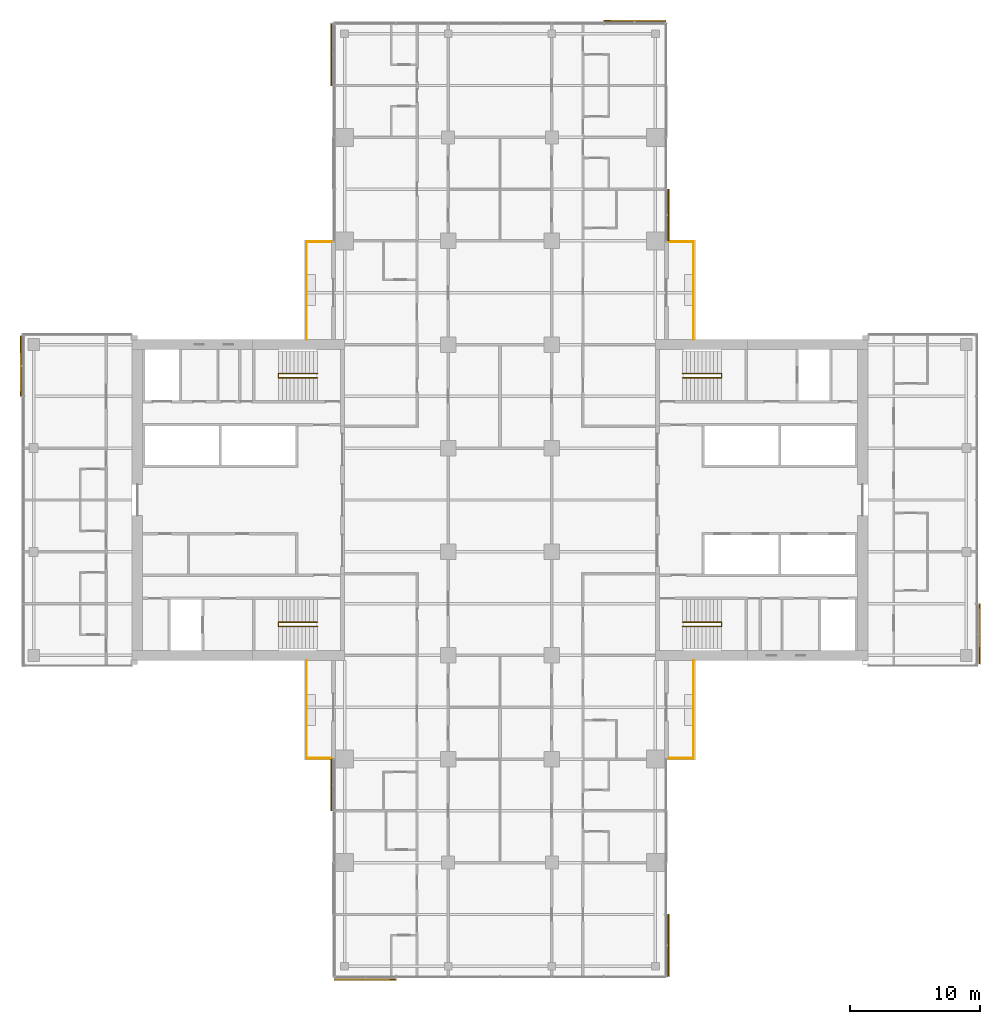
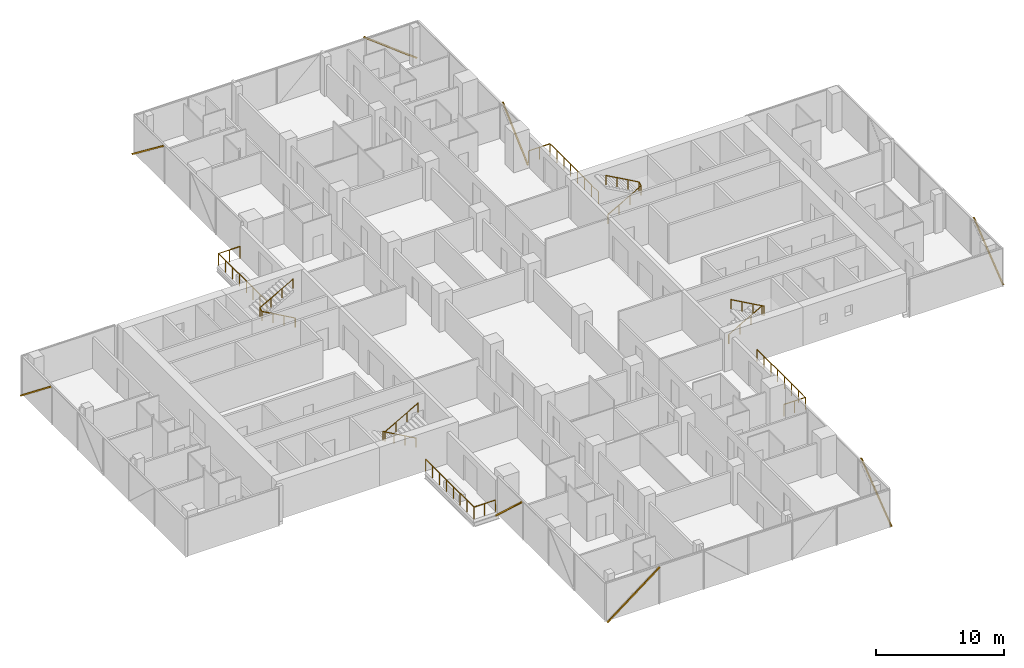
# One storey, part 27 of 27: 8 railings, 8 shading devices, 8 elements without a shape of their own.
"""IFC4 building model written with IfcOpenShell, lengths in metres."""

from ifc_helpers import new_model, si_unit, direction, frame, origin, origin_2d, place, context, subcontext, project, spatial, rectangle, circle, extrude, material, material_profile, profile_set, type_object, element, aggregate, save


model = new_model("IFC4")

# Units and contexts
model_context = context("Model", 3, precision=1e-05, world=origin(), true_north=direction((0.0, 1.0)))
body_context = subcontext(model_context, "Body", "Model", "MODEL_VIEW")
ifc_project = project(units=[si_unit("LENGTHUNIT", "METRE"), si_unit("AREAUNIT", "SQUARE_METRE"), si_unit("VOLUMEUNIT", "CUBIC_METRE"), si_unit("PLANEANGLEUNIT", "RADIAN"), si_unit("MASSUNIT", "GRAM", prefix="KILO")], contexts=[model_context])

# Site, building, storey
site_placement = place(None, origin())
site = spatial("IfcSite", under=ifc_project, at=site_placement, CompositionType="ELEMENT")
building_placement = place(site_placement, origin())
building = spatial("IfcBuilding", under=site, at=building_placement, Name="Crosswind Convention Tower", CompositionType="ELEMENT")
storey_placement = place(building_placement, frame((0.0, 0.0, 79.39990234375)))
storey = spatial("IfcBuildingStorey", under=building, at=storey_placement, Name="L14", CompositionType="ELEMENT", Elevation=79.39990234375)

# Railings
ifc_material_1 = material(Name="Steel and laminated glass balustrade", Category="steel")
railing_type_1 = type_object("IfcRailingType", Name="BALCONY BALUSTRADE 1150", PredefinedType="BALUSTRADE", material=ifc_material_1)
railing_1_placement = place(storey_placement, frame((139.93994140625, 112.39990234375, 0.0)))
element("IfcRailing", 1, at=railing_1_placement, inside=storey, type_object=railing_type_1, Name="R11 balcony balustrade L14 N-E.1-1", PredefinedType="BALUSTRADE", context=body_context, shape_type="SweptSolid", body=[
    extrude(circle(Radius=0.02392578125, at=origin_2d()), frame((0.0, 0.0, 1.1259765625), z_axis=(0.0, 1.0, 0.0), x_axis=(-1.0, 0.0, 0.0)), (0.0, 0.0, 1.0), 7.5400390625),
    extrude(circle(Radius=0.02392578125, at=origin_2d()), frame((0.0, 7.5400390625, 1.1259765625), z_axis=(-1.0, 0.0, 0.0), x_axis=(0.0, -1.0, 0.0)), (0.0, 0.0, 1.0), 1.9189453125),
    extrude(circle(Radius=0.02099609375, at=origin_2d()), origin(), (0.0, 0.0, 1.0), 1.101806640625),
    extrude(circle(Radius=0.02099609375, at=origin_2d()), frame((0.0, 1.0771484375, 0.0)), (0.0, 0.0, 1.0), 1.101806640625),
    extrude(circle(Radius=0.02099609375, at=origin_2d()), frame((0.0, 2.154296875, 0.0)), (0.0, 0.0, 1.0), 1.101806640625),
    extrude(circle(Radius=0.02099609375, at=origin_2d()), frame((0.0, 3.2314453125, 0.0)), (0.0, 0.0, 1.0), 1.101806640625),
    extrude(circle(Radius=0.02099609375, at=origin_2d()), frame((0.0, 4.30859375, 0.0)), (0.0, 0.0, 1.0), 1.101806640625),
    extrude(circle(Radius=0.02099609375, at=origin_2d()), frame((0.0, 5.3857421875, 0.0)), (0.0, 0.0, 1.0), 1.101806640625),
    extrude(circle(Radius=0.02099609375, at=origin_2d()), frame((0.0, 6.462890625, 0.0)), (0.0, 0.0, 1.0), 1.101806640625),
    extrude(circle(Radius=0.02099609375, at=origin_2d()), frame((0.0, 7.5400390625, 0.0)), (0.0, 0.0, 1.0), 1.101806640625),
    extrude(circle(Radius=0.02099609375, at=origin_2d()), frame((-0.95947265625, 7.5400390625, 0.0)), (0.0, 0.0, 1.0), 1.101806640625),
    extrude(circle(Radius=0.02099609375, at=origin_2d()), frame((-1.9189453125, 7.5400390625, 0.0)), (0.0, 0.0, 1.0), 1.101806640625),
])
railing_2_placement = place(storey_placement, frame((110.06005859375, 112.39990234375, 0.0)))
element("IfcRailing", 2, at=railing_2_placement, inside=storey, type_object=railing_type_1, Name="R11 balcony balustrade L14 N-W.1-3", PredefinedType="BALUSTRADE", context=body_context, shape_type="SweptSolid", body=[
    extrude(circle(Radius=0.02392578125, at=origin_2d()), frame((0.0, 0.0, 1.1259765625), z_axis=(0.0, 1.0, 0.0), x_axis=(-1.0, 0.0, 0.0)), (0.0, 0.0, 1.0), 7.5400390625),
    extrude(circle(Radius=0.02392578125, at=origin_2d()), frame((0.0, 7.5400390625, 1.1259765625), z_axis=(1.0, 0.0, 0.0), x_axis=(0.0, 1.0, 0.0)), (0.0, 0.0, 1.0), 1.9189453125),
    extrude(circle(Radius=0.02099609375, at=origin_2d()), origin(), (0.0, 0.0, 1.0), 1.101806640625),
    extrude(circle(Radius=0.02099609375, at=origin_2d()), frame((0.0, 1.0771484375, 0.0)), (0.0, 0.0, 1.0), 1.101806640625),
    extrude(circle(Radius=0.02099609375, at=origin_2d()), frame((0.0, 2.154296875, 0.0)), (0.0, 0.0, 1.0), 1.101806640625),
    extrude(circle(Radius=0.02099609375, at=origin_2d()), frame((0.0, 3.2314453125, 0.0)), (0.0, 0.0, 1.0), 1.101806640625),
    extrude(circle(Radius=0.02099609375, at=origin_2d()), frame((0.0, 4.30859375, 0.0)), (0.0, 0.0, 1.0), 1.101806640625),
    extrude(circle(Radius=0.02099609375, at=origin_2d()), frame((0.0, 5.3857421875, 0.0)), (0.0, 0.0, 1.0), 1.101806640625),
    extrude(circle(Radius=0.02099609375, at=origin_2d()), frame((0.0, 6.462890625, 0.0)), (0.0, 0.0, 1.0), 1.101806640625),
    extrude(circle(Radius=0.02099609375, at=origin_2d()), frame((0.0, 7.5400390625, 0.0)), (0.0, 0.0, 1.0), 1.101806640625),
    extrude(circle(Radius=0.02099609375, at=origin_2d()), frame((0.95947265625, 7.5400390625, 0.0)), (0.0, 0.0, 1.0), 1.101806640625),
    extrude(circle(Radius=0.02099609375, at=origin_2d()), frame((1.9189453125, 7.5400390625, 0.0)), (0.0, 0.0, 1.0), 1.101806640625),
])
railing_3_placement = place(storey_placement, frame((110.06005859375, 87.60009765625, 0.0)))
element("IfcRailing", 3, at=railing_3_placement, inside=storey, type_object=railing_type_1, Name="R11 balcony balustrade L14 S-W.1-1", PredefinedType="BALUSTRADE", context=body_context, shape_type="SweptSolid", body=[
    extrude(circle(Radius=0.02392578125, at=origin_2d()), frame((0.0, 0.0, 1.1259765625), z_axis=(0.0, -1.0, 0.0), x_axis=(1.0, 0.0, 0.0)), (0.0, 0.0, 1.0), 7.5400390625),
    extrude(circle(Radius=0.02392578125, at=origin_2d()), frame((0.0, -7.5400390625, 1.1259765625), z_axis=(1.0, 0.0, 0.0), x_axis=(0.0, 1.0, 0.0)), (0.0, 0.0, 1.0), 1.9189453125),
    extrude(circle(Radius=0.02099609375, at=origin_2d()), origin(), (0.0, 0.0, 1.0), 1.101806640625),
    extrude(circle(Radius=0.02099609375, at=origin_2d()), frame((0.0, -1.0771484375, 0.0)), (0.0, 0.0, 1.0), 1.101806640625),
    extrude(circle(Radius=0.02099609375, at=origin_2d()), frame((0.0, -2.154296875, 0.0)), (0.0, 0.0, 1.0), 1.101806640625),
    extrude(circle(Radius=0.02099609375, at=origin_2d()), frame((0.0, -3.2314453125, 0.0)), (0.0, 0.0, 1.0), 1.101806640625),
    extrude(circle(Radius=0.02099609375, at=origin_2d()), frame((0.0, -4.30859375, 0.0)), (0.0, 0.0, 1.0), 1.101806640625),
    extrude(circle(Radius=0.02099609375, at=origin_2d()), frame((0.0, -5.3857421875, 0.0)), (0.0, 0.0, 1.0), 1.101806640625),
    extrude(circle(Radius=0.02099609375, at=origin_2d()), frame((0.0, -6.462890625, 0.0)), (0.0, 0.0, 1.0), 1.101806640625),
    extrude(circle(Radius=0.02099609375, at=origin_2d()), frame((0.0, -7.5400390625, 0.0)), (0.0, 0.0, 1.0), 1.101806640625),
    extrude(circle(Radius=0.02099609375, at=origin_2d()), frame((0.95947265625, -7.5400390625, 0.0)), (0.0, 0.0, 1.0), 1.101806640625),
    extrude(circle(Radius=0.02099609375, at=origin_2d()), frame((1.9189453125, -7.5400390625, 0.0)), (0.0, 0.0, 1.0), 1.101806640625),
])
railing_4_placement = place(storey_placement, frame((139.93994140625, 87.60009765625, 0.0)))
element("IfcRailing", 4, at=railing_4_placement, inside=storey, type_object=railing_type_1, Name="R11 balcony balustrade L14 S-E.1-3", PredefinedType="BALUSTRADE", context=body_context, shape_type="SweptSolid", body=[
    extrude(circle(Radius=0.02392578125, at=origin_2d()), frame((0.0, 0.0, 1.1259765625), z_axis=(0.0, -1.0, 0.0), x_axis=(1.0, 0.0, 0.0)), (0.0, 0.0, 1.0), 7.5400390625),
    extrude(circle(Radius=0.02392578125, at=origin_2d()), frame((0.0, -7.5400390625, 1.1259765625), z_axis=(-1.0, 0.0, 0.0), x_axis=(0.0, -1.0, 0.0)), (0.0, 0.0, 1.0), 1.9189453125),
    extrude(circle(Radius=0.02099609375, at=origin_2d()), origin(), (0.0, 0.0, 1.0), 1.101806640625),
    extrude(circle(Radius=0.02099609375, at=origin_2d()), frame((0.0, -1.0771484375, 0.0)), (0.0, 0.0, 1.0), 1.101806640625),
    extrude(circle(Radius=0.02099609375, at=origin_2d()), frame((0.0, -2.154296875, 0.0)), (0.0, 0.0, 1.0), 1.101806640625),
    extrude(circle(Radius=0.02099609375, at=origin_2d()), frame((0.0, -3.2314453125, 0.0)), (0.0, 0.0, 1.0), 1.101806640625),
    extrude(circle(Radius=0.02099609375, at=origin_2d()), frame((0.0, -4.30859375, 0.0)), (0.0, 0.0, 1.0), 1.101806640625),
    extrude(circle(Radius=0.02099609375, at=origin_2d()), frame((0.0, -5.3857421875, 0.0)), (0.0, 0.0, 1.0), 1.101806640625),
    extrude(circle(Radius=0.02099609375, at=origin_2d()), frame((0.0, -6.462890625, 0.0)), (0.0, 0.0, 1.0), 1.101806640625),
    extrude(circle(Radius=0.02099609375, at=origin_2d()), frame((0.0, -7.5400390625, 0.0)), (0.0, 0.0, 1.0), 1.101806640625),
    extrude(circle(Radius=0.02099609375, at=origin_2d()), frame((-0.95947265625, -7.5400390625, 0.0)), (0.0, 0.0, 1.0), 1.101806640625),
    extrude(circle(Radius=0.02099609375, at=origin_2d()), frame((-1.9189453125, -7.5400390625, 0.0)), (0.0, 0.0, 1.0), 1.101806640625),
])
ifc_material_2 = material(Name="Stainless steel", Category="steel")
railing_type_2 = type_object("IfcRailingType", Name="Stair handrail 900", PredefinedType="HANDRAIL", material=ifc_material_2)
railing_5_placement = place(storey_placement, frame((139.10009765625, 109.43994140625, 0.168212890625)))
element("IfcRailing", 5, at=railing_5_placement, inside=storey, type_object=railing_type_2, Name="Stair ST1 handrail L14", PredefinedType="HANDRAIL", context=body_context, shape_type="SweptSolid", body=[
    extrude(circle(Radius=0.02392578125, at=origin_2d()), frame((0.0, 0.0, 0.8759765625), z_axis=(0.872272294576, 0.0, 0.489020494575), x_axis=(0.0, 1.0, 0.0)), (0.0, 0.0, 1.0), 3.439208984375),
    extrude(circle(Radius=0.02392578125, at=origin_2d()), frame((3.0, 0.0, 2.5576171875), z_axis=(0.0, 0.885196349292, 0.465217608438), x_axis=(-1.0, 0.0, 0.0)), (0.0, 0.0, 1.0), 0.361572265625),
    extrude(circle(Radius=0.02392578125, at=origin_2d()), frame((3.0, 0.320068359375, 2.72607421875), z_axis=(-0.872272294576, 0.0, 0.489020494575), x_axis=(0.0, -1.0, 0.0)), (0.0, 0.0, 1.0), 3.439208984375),
    extrude(circle(Radius=0.02099609375, at=origin_2d()), origin(), (0.0, 0.0, 1.0), 0.851806640625),
    extrude(circle(Radius=0.02099609375, at=origin_2d()), frame((1.0, 0.0, 0.560546875)), (0.0, 0.0, 1.0), 0.851806640625),
    extrude(circle(Radius=0.02099609375, at=origin_2d()), frame((2.0, 0.0, 1.121337890625)), (0.0, 0.0, 1.0), 0.851806640625),
    extrude(circle(Radius=0.02099609375, at=origin_2d()), frame((3.0, 0.0, 1.681884765625)), (0.0, 0.0, 1.0), 0.851806640625),
    extrude(circle(Radius=0.02099609375, at=origin_2d()), frame((3.0, 0.320068359375, 1.85009765625)), (0.0, 0.0, 1.0), 0.851806640625),
    extrude(circle(Radius=0.02099609375, at=origin_2d()), frame((2.0, 0.320068359375, 2.41064453125)), (0.0, 0.0, 1.0), 0.851806640625),
    extrude(circle(Radius=0.02099609375, at=origin_2d()), frame((1.0, 0.320068359375, 2.971435546875)), (0.0, 0.0, 1.0), 0.851806640625),
    extrude(circle(Radius=0.02099609375, at=origin_2d()), frame((0.0, 0.320068359375, 3.531982421875)), (0.0, 0.0, 1.0), 0.851806640625),
])
railing_6_placement = place(storey_placement, frame((139.10009765625, 90.56005859375, 0.168212890625)))
element("IfcRailing", 6, at=railing_6_placement, inside=storey, type_object=railing_type_2, Name="Stair ST2 handrail L14", PredefinedType="HANDRAIL", context=body_context, shape_type="SweptSolid", body=[
    extrude(circle(Radius=0.02392578125, at=origin_2d()), frame((0.0, 0.0, 0.8759765625), z_axis=(0.872272294576, 0.0, 0.489020494575), x_axis=(0.0, 1.0, 0.0)), (0.0, 0.0, 1.0), 3.439208984375),
    extrude(circle(Radius=0.02392578125, at=origin_2d()), frame((3.0, 0.0, 2.5576171875), z_axis=(0.0, -0.885196349292, 0.465217608438), x_axis=(1.0, 0.0, 0.0)), (0.0, 0.0, 1.0), 0.361572265625),
    extrude(circle(Radius=0.02392578125, at=origin_2d()), frame((3.0, -0.320068359375, 2.72607421875), z_axis=(-0.872272294576, 0.0, 0.489020494575), x_axis=(0.0, -1.0, 0.0)), (0.0, 0.0, 1.0), 3.439208984375),
    extrude(circle(Radius=0.02099609375, at=origin_2d()), origin(), (0.0, 0.0, 1.0), 0.851806640625),
    extrude(circle(Radius=0.02099609375, at=origin_2d()), frame((1.0, 0.0, 0.560546875)), (0.0, 0.0, 1.0), 0.851806640625),
    extrude(circle(Radius=0.02099609375, at=origin_2d()), frame((2.0, 0.0, 1.121337890625)), (0.0, 0.0, 1.0), 0.851806640625),
    extrude(circle(Radius=0.02099609375, at=origin_2d()), frame((3.0, 0.0, 1.681884765625)), (0.0, 0.0, 1.0), 0.851806640625),
    extrude(circle(Radius=0.02099609375, at=origin_2d()), frame((3.0, -0.320068359375, 1.85009765625)), (0.0, 0.0, 1.0), 0.851806640625),
    extrude(circle(Radius=0.02099609375, at=origin_2d()), frame((2.0, -0.320068359375, 2.41064453125)), (0.0, 0.0, 1.0), 0.851806640625),
    extrude(circle(Radius=0.02099609375, at=origin_2d()), frame((1.0, -0.320068359375, 2.971435546875)), (0.0, 0.0, 1.0), 0.851806640625),
    extrude(circle(Radius=0.02099609375, at=origin_2d()), frame((0.0, -0.320068359375, 3.531982421875)), (0.0, 0.0, 1.0), 0.851806640625),
])
railing_7_placement = place(storey_placement, frame((110.89990234375, 90.56005859375, 0.168212890625)))
element("IfcRailing", 7, at=railing_7_placement, inside=storey, type_object=railing_type_2, Name="Stair ST3 handrail L14", PredefinedType="HANDRAIL", context=body_context, shape_type="SweptSolid", body=[
    extrude(circle(Radius=0.02392578125, at=origin_2d()), frame((0.0, 0.0, 0.8759765625), z_axis=(-0.872272294576, 0.0, 0.489020494575), x_axis=(0.0, -1.0, 0.0)), (0.0, 0.0, 1.0), 3.439208984375),
    extrude(circle(Radius=0.02392578125, at=origin_2d()), frame((-3.0, 0.0, 2.5576171875), z_axis=(0.0, -0.885196349292, 0.465217608438), x_axis=(1.0, 0.0, 0.0)), (0.0, 0.0, 1.0), 0.361572265625),
    extrude(circle(Radius=0.02392578125, at=origin_2d()), frame((-3.0, -0.320068359375, 2.72607421875), z_axis=(0.872272294576, 0.0, 0.489020494575), x_axis=(0.0, 1.0, 0.0)), (0.0, 0.0, 1.0), 3.439208984375),
    extrude(circle(Radius=0.02099609375, at=origin_2d()), origin(), (0.0, 0.0, 1.0), 0.851806640625),
    extrude(circle(Radius=0.02099609375, at=origin_2d()), frame((-1.0, 0.0, 0.560546875)), (0.0, 0.0, 1.0), 0.851806640625),
    extrude(circle(Radius=0.02099609375, at=origin_2d()), frame((-2.0, 0.0, 1.121337890625)), (0.0, 0.0, 1.0), 0.851806640625),
    extrude(circle(Radius=0.02099609375, at=origin_2d()), frame((-3.0, 0.0, 1.681884765625)), (0.0, 0.0, 1.0), 0.851806640625),
    extrude(circle(Radius=0.02099609375, at=origin_2d()), frame((-3.0, -0.320068359375, 1.85009765625)), (0.0, 0.0, 1.0), 0.851806640625),
    extrude(circle(Radius=0.02099609375, at=origin_2d()), frame((-2.0, -0.320068359375, 2.41064453125)), (0.0, 0.0, 1.0), 0.851806640625),
    extrude(circle(Radius=0.02099609375, at=origin_2d()), frame((-1.0, -0.320068359375, 2.971435546875)), (0.0, 0.0, 1.0), 0.851806640625),
    extrude(circle(Radius=0.02099609375, at=origin_2d()), frame((0.0, -0.320068359375, 3.531982421875)), (0.0, 0.0, 1.0), 0.851806640625),
])
railing_8_placement = place(storey_placement, frame((110.89990234375, 109.43994140625, 0.168212890625)))
element("IfcRailing", 8, at=railing_8_placement, inside=storey, type_object=railing_type_2, Name="Stair ST4 handrail L14", PredefinedType="HANDRAIL", context=body_context, shape_type="SweptSolid", body=[
    extrude(circle(Radius=0.02392578125, at=origin_2d()), frame((0.0, 0.0, 0.8759765625), z_axis=(-0.872272294576, 0.0, 0.489020494575), x_axis=(0.0, -1.0, 0.0)), (0.0, 0.0, 1.0), 3.439208984375),
    extrude(circle(Radius=0.02392578125, at=origin_2d()), frame((-3.0, 0.0, 2.5576171875), z_axis=(0.0, 0.885196349292, 0.465217608438), x_axis=(-1.0, 0.0, 0.0)), (0.0, 0.0, 1.0), 0.361572265625),
    extrude(circle(Radius=0.02392578125, at=origin_2d()), frame((-3.0, 0.320068359375, 2.72607421875), z_axis=(0.872272294576, 0.0, 0.489020494575), x_axis=(0.0, 1.0, 0.0)), (0.0, 0.0, 1.0), 3.439208984375),
    extrude(circle(Radius=0.02099609375, at=origin_2d()), origin(), (0.0, 0.0, 1.0), 0.851806640625),
    extrude(circle(Radius=0.02099609375, at=origin_2d()), frame((-1.0, 0.0, 0.560546875)), (0.0, 0.0, 1.0), 0.851806640625),
    extrude(circle(Radius=0.02099609375, at=origin_2d()), frame((-2.0, 0.0, 1.121337890625)), (0.0, 0.0, 1.0), 0.851806640625),
    extrude(circle(Radius=0.02099609375, at=origin_2d()), frame((-3.0, 0.0, 1.681884765625)), (0.0, 0.0, 1.0), 0.851806640625),
    extrude(circle(Radius=0.02099609375, at=origin_2d()), frame((-3.0, 0.320068359375, 1.85009765625)), (0.0, 0.0, 1.0), 0.851806640625),
    extrude(circle(Radius=0.02099609375, at=origin_2d()), frame((-2.0, 0.320068359375, 2.41064453125)), (0.0, 0.0, 1.0), 0.851806640625),
    extrude(circle(Radius=0.02099609375, at=origin_2d()), frame((-1.0, 0.320068359375, 2.971435546875)), (0.0, 0.0, 1.0), 0.851806640625),
    extrude(circle(Radius=0.02099609375, at=origin_2d()), frame((0.0, 0.320068359375, 3.531982421875)), (0.0, 0.0, 1.0), 0.851806640625),
])

# Curtain wall, shading device
ifc_material_3 = material(Name="Aluminium unitised curtain wall", Category="aluminium")
curtain_wall_type = type_object("IfcCurtainWallType", Name="HOTEL UNITISED WALL 200", PredefinedType="USERDEFINED", material=ifc_material_3)
curtain_wall_1_placement = place(storey_placement, origin())
curtain_wall_1 = element("IfcCurtainWall", 9, at=curtain_wall_1_placement, inside=storey, type_object=curtain_wall_type, Name="CW2 L14 E-TIP 1", ObjectType="UNITISED", PredefinedType="USERDEFINED")
ifc_material_4 = material(Name="Extruded terracotta", Category="masonry")
ifc_material_profile = material_profile(ifc_material_4, rectangle(XDim=0.10009765625, YDim=0.1201171875, at=origin_2d()), Name="TC 100X120")
ifc_profile_set = profile_set([ifc_material_profile], Name="Extruded terracotta")
shading_device_type = type_object("IfcShadingDeviceType", Name="TERRACOTTA BAGUETTE 120X100", PredefinedType="USERDEFINED", material=ifc_profile_set)
shading_device_1_placement = place(storey_placement, frame((162.008056640625, 87.364990234375, -0.27978515625), z_axis=(0.0, 0.784784722195, 0.619768456611), x_axis=(-1.0, 0.0, 0.0)))
shading_device_1 = element("IfcShadingDevice", 10, at=shading_device_1_placement, type_object=shading_device_type, Name="CW2 terracotta baguette 1", ObjectType="BAGUETTE", PredefinedType="USERDEFINED", context=body_context, shape_type="SweptSolid", body=[
    extrude(rectangle(XDim=0.10009765625, YDim=0.1201171875, at=origin_2d()), origin(), (0.0, 0.0, 1.0), 5.86474609375),
])
aggregate(curtain_wall_1, [shading_device_1])

curtain_wall_2_placement = place(storey_placement, origin())
curtain_wall_2 = element("IfcCurtainWall", 11, at=curtain_wall_2_placement, inside=storey, type_object=curtain_wall_type, Name="CW2 L14 N-E 1", ObjectType="UNITISED", PredefinedType="USERDEFINED")
shading_device_2_placement = place(storey_placement, frame((138.008056640625, 120.032470703125, -0.27978515625), z_axis=(0.0, 0.734579751706, 0.678522356583), x_axis=(-1.0, 0.0, 0.0)))
shading_device_2 = element("IfcShadingDevice", 12, at=shading_device_2_placement, type_object=shading_device_type, Name="CW2 terracotta baguette 1", ObjectType="BAGUETTE", PredefinedType="USERDEFINED", context=body_context, shape_type="SweptSolid", body=[
    extrude(rectangle(XDim=0.10009765625, YDim=0.1201171875, at=origin_2d()), origin(), (0.0, 0.0, 1.0), 5.35693359375),
])
aggregate(curtain_wall_2, [shading_device_2])

curtain_wall_3_placement = place(storey_placement, origin())
curtain_wall_3 = element("IfcCurtainWall", 13, at=curtain_wall_3_placement, inside=storey, type_object=curtain_wall_type, Name="CW2 L14 N-TIP 1", ObjectType="UNITISED", PredefinedType="USERDEFINED")
shading_device_3_placement = place(storey_placement, frame((137.767578125, 137.008056640625, -0.27978515625), z_axis=(-0.793240872611, 0.0, 0.608907971716), x_axis=(0.0, -1.0, 0.0)))
shading_device_3 = element("IfcShadingDevice", 14, at=shading_device_3_placement, type_object=shading_device_type, Name="CW2 terracotta baguette 1", ObjectType="BAGUETTE", PredefinedType="USERDEFINED", context=body_context, shape_type="SweptSolid", body=[
    extrude(rectangle(XDim=0.10009765625, YDim=0.1201171875, at=origin_2d()), origin(), (0.0, 0.0, 1.0), 5.96923828125),
])
aggregate(curtain_wall_3, [shading_device_3])

curtain_wall_4_placement = place(storey_placement, origin())
curtain_wall_4 = element("IfcCurtainWall", 15, at=curtain_wall_4_placement, inside=storey, type_object=curtain_wall_type, Name="CW2 L14 N-W 1", ObjectType="UNITISED", PredefinedType="USERDEFINED")
shading_device_4_placement = place(storey_placement, frame((111.991943359375, 136.767578125, -0.27978515625), z_axis=(0.0, -0.793240872611, 0.608907971716), x_axis=(1.0, 0.0, 0.0)))
shading_device_4 = element("IfcShadingDevice", 16, at=shading_device_4_placement, type_object=shading_device_type, Name="CW2 terracotta baguette 1", ObjectType="BAGUETTE", PredefinedType="USERDEFINED", context=body_context, shape_type="SweptSolid", body=[
    extrude(rectangle(XDim=0.10009765625, YDim=0.1201171875, at=origin_2d()), origin(), (0.0, 0.0, 1.0), 5.96923828125),
])
aggregate(curtain_wall_4, [shading_device_4])

curtain_wall_5_placement = place(storey_placement, origin())
curtain_wall_5 = element("IfcCurtainWall", 17, at=curtain_wall_5_placement, inside=storey, type_object=curtain_wall_type, Name="CW2 L14 W-TIP 1", ObjectType="UNITISED", PredefinedType="USERDEFINED")
shading_device_5_placement = place(storey_placement, frame((87.991943359375, 112.635009765625, -0.27978515625), z_axis=(0.0, -0.784784722195, 0.619768456611), x_axis=(1.0, 0.0, 0.0)))
shading_device_5 = element("IfcShadingDevice", 18, at=shading_device_5_placement, type_object=shading_device_type, Name="CW2 terracotta baguette 1", ObjectType="BAGUETTE", PredefinedType="USERDEFINED", context=body_context, shape_type="SweptSolid", body=[
    extrude(rectangle(XDim=0.10009765625, YDim=0.1201171875, at=origin_2d()), origin(), (0.0, 0.0, 1.0), 5.86474609375),
])
aggregate(curtain_wall_5, [shading_device_5])

curtain_wall_6_placement = place(storey_placement, origin())
curtain_wall_6 = element("IfcCurtainWall", 19, at=curtain_wall_6_placement, inside=storey, type_object=curtain_wall_type, Name="CW2 L14 S-W 1", ObjectType="UNITISED", PredefinedType="USERDEFINED")
shading_device_6_placement = place(storey_placement, frame((111.991943359375, 79.967529296875, -0.27978515625), z_axis=(0.0, -0.734579751706, 0.678522356583), x_axis=(1.0, 0.0, 0.0)))
shading_device_6 = element("IfcShadingDevice", 20, at=shading_device_6_placement, type_object=shading_device_type, Name="CW2 terracotta baguette 1", ObjectType="BAGUETTE", PredefinedType="USERDEFINED", context=body_context, shape_type="SweptSolid", body=[
    extrude(rectangle(XDim=0.10009765625, YDim=0.1201171875, at=origin_2d()), origin(), (0.0, 0.0, 1.0), 5.35693359375),
])
aggregate(curtain_wall_6, [shading_device_6])

curtain_wall_7_placement = place(storey_placement, origin())
curtain_wall_7 = element("IfcCurtainWall", 21, at=curtain_wall_7_placement, inside=storey, type_object=curtain_wall_type, Name="CW2 L14 S-TIP 1", ObjectType="UNITISED", PredefinedType="USERDEFINED")
shading_device_7_placement = place(storey_placement, frame((112.232421875, 62.991943359375, -0.27978515625), z_axis=(0.793240872611, 0.0, 0.608907971716), x_axis=(0.0, 1.0, 0.0)))
shading_device_7 = element("IfcShadingDevice", 22, at=shading_device_7_placement, type_object=shading_device_type, Name="CW2 terracotta baguette 1", ObjectType="BAGUETTE", PredefinedType="USERDEFINED", context=body_context, shape_type="SweptSolid", body=[
    extrude(rectangle(XDim=0.10009765625, YDim=0.1201171875, at=origin_2d()), origin(), (0.0, 0.0, 1.0), 5.96923828125),
])
aggregate(curtain_wall_7, [shading_device_7])

curtain_wall_8_placement = place(storey_placement, origin())
curtain_wall_8 = element("IfcCurtainWall", 23, at=curtain_wall_8_placement, inside=storey, type_object=curtain_wall_type, Name="CW2 L14 S-E 1", ObjectType="UNITISED", PredefinedType="USERDEFINED")
shading_device_8_placement = place(storey_placement, frame((138.008056640625, 63.232421875, -0.27978515625), z_axis=(0.0, 0.793240872611, 0.608907971716), x_axis=(-1.0, 0.0, 0.0)))
shading_device_8 = element("IfcShadingDevice", 24, at=shading_device_8_placement, type_object=shading_device_type, Name="CW2 terracotta baguette 1", ObjectType="BAGUETTE", PredefinedType="USERDEFINED", context=body_context, shape_type="SweptSolid", body=[
    extrude(rectangle(XDim=0.10009765625, YDim=0.1201171875, at=origin_2d()), origin(), (0.0, 0.0, 1.0), 5.96923828125),
])
aggregate(curtain_wall_8, [shading_device_8])

save(model, "model.ifc")
